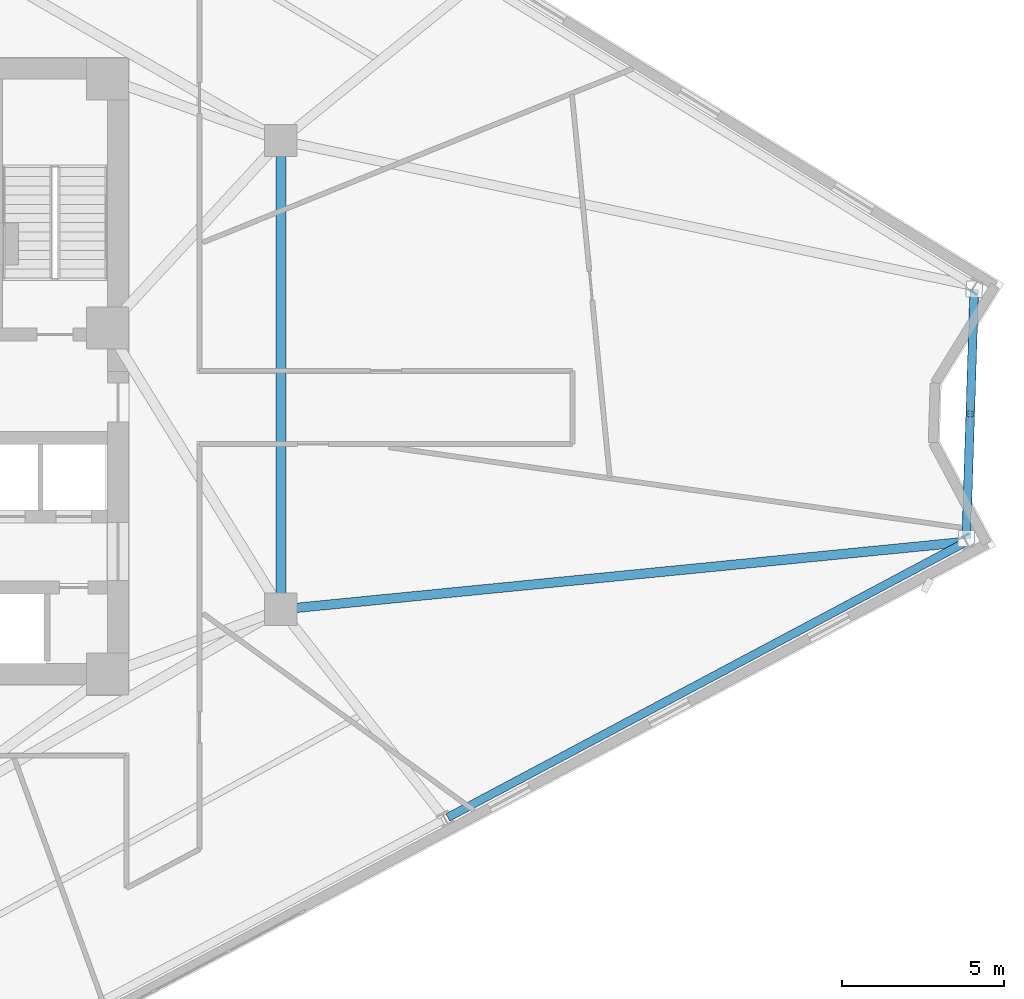
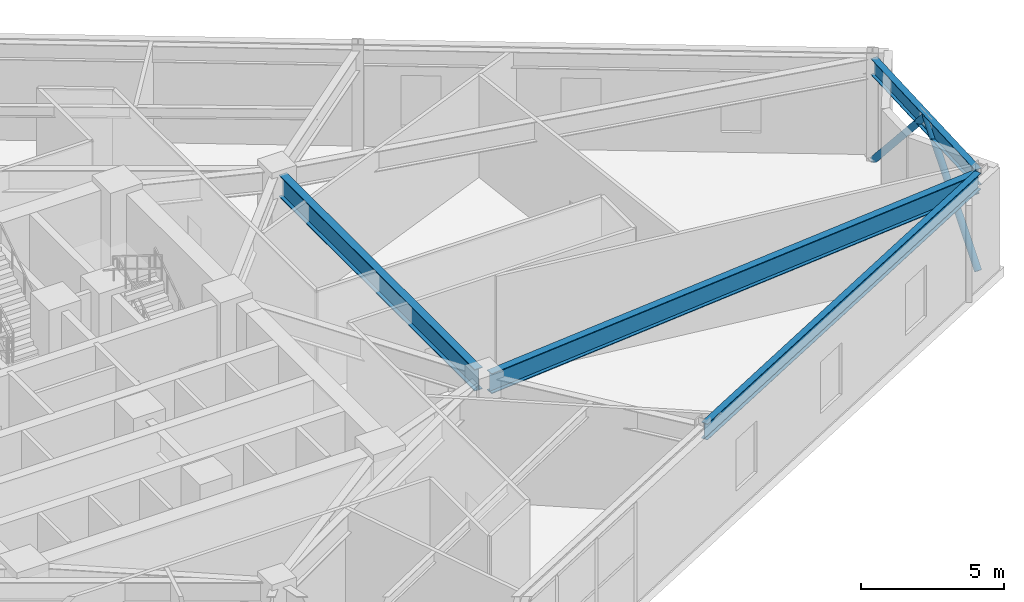
# One storey, part 7 of 22: 4 beams, 2 members.
"""IFC4 building model written with IfcOpenShell, lengths in metres."""

from ifc_helpers import new_model, si_unit, direction, frame, origin, origin_2d, place, context, subcontext, project, spatial, hollow_circle, i_section, extrude, material, material_profile, profile_set, type_object, element, save


model = new_model("IFC4")

# Units and contexts
model_context = context("Model", 3, precision=1e-05, world=origin(), true_north=direction((0.0, 1.0)))
body_context = subcontext(model_context, "Body", "Model", "MODEL_VIEW")
ifc_project = project(units=[si_unit("LENGTHUNIT", "METRE"), si_unit("AREAUNIT", "SQUARE_METRE"), si_unit("VOLUMEUNIT", "CUBIC_METRE"), si_unit("PLANEANGLEUNIT", "RADIAN"), si_unit("MASSUNIT", "GRAM", prefix="KILO")], contexts=[model_context])

# Site, building, storey
site_placement = place(None, origin())
site = spatial("IfcSite", under=ifc_project, at=site_placement, CompositionType="ELEMENT")
building_placement = place(site_placement, origin())
building = spatial("IfcBuilding", under=site, at=building_placement, Name="Apsidion Concourse Tower", CompositionType="ELEMENT")
storey_placement = place(building_placement, frame((0.0, 0.0, 160.89990234375)))
storey = spatial("IfcBuildingStorey", under=building, at=storey_placement, Name="L37", CompositionType="ELEMENT", Elevation=160.89990234375)

# Beams
ifc_material_1 = material(Name="Structural steel ASTM A992 Grade 50", Category="steel")
ifc_material_profile_1 = material_profile(ifc_material_1, i_section(OverallWidth=0.2919921875, OverallDepth=0.85888671875, WebThickness=0.01708984375, FlangeThickness=0.031005859375, at=origin_2d()), Name="W33X169")
ifc_profile_set_1 = profile_set([ifc_material_profile_1], Name="Structural steel ASTM A992 Grade 50")
beam_type_1 = type_object("IfcBeamType", Name="BM-G-W33", PredefinedType="USERDEFINED", material=ifc_profile_set_1)
beam_1_placement = place(storey_placement, frame((12.77880859375, -7.228515625, 3.920654296875), z_axis=(0.995176296258, 0.098102698054, 0.0), x_axis=(-0.098102698054, 0.995176296258, 0.0)))
element("IfcBeam", 1, at=beam_1_placement, inside=storey, type_object=beam_type_1, Name="L37 Radial Floor Girder RAD-08", ObjectType="GIRDER", PredefinedType="USERDEFINED", context=body_context, shape_type="SweptSolid", body=[
    extrude(i_section(OverallWidth=0.2919921875, OverallDepth=0.85888671875, WebThickness=0.01708984375, FlangeThickness=0.031005859375, at=origin_2d()), origin(), (0.0, 0.0, 1.0), 20.981689453125),
])
ifc_material_profile_2 = material_profile(ifc_material_1, i_section(OverallWidth=0.31005859375, OverallDepth=0.931884765625, WebThickness=0.02099609375, FlangeThickness=0.034423828125, at=origin_2d()), Name="W36X210")
ifc_profile_set_2 = profile_set([ifc_material_profile_2], Name="Structural steel ASTM A992 Grade 50")
beam_type_2 = type_object("IfcBeamType", Name="BM-G-W36", PredefinedType="USERDEFINED", material=ifc_profile_set_2)
beam_2_placement = place(storey_placement, frame((12.56005859375, 6.85009765625, 3.884033203125), z_axis=(0.0, -1.0, 0.0), x_axis=(1.0, 0.0, 0.0)))
element("IfcBeam", 2, at=beam_2_placement, inside=storey, type_object=beam_type_2, Name="L37 Core Coupling Girder IC3-IC2", ObjectType="GIRDER", PredefinedType="USERDEFINED", context=body_context, shape_type="SweptSolid", body=[
    extrude(i_section(OverallWidth=0.31005859375, OverallDepth=0.931884765625, WebThickness=0.02099609375, FlangeThickness=0.034423828125, at=origin_2d()), origin(), (0.0, 0.0, 1.0), 13.7001953125),
])
ifc_material_profile_3 = material_profile(ifc_material_1, i_section(OverallWidth=0.256103515625, OverallDepth=0.693115234375, WebThickness=0.014404296875, FlangeThickness=0.023681640625, at=origin_2d()), Name="W27X114")
ifc_profile_set_3 = profile_set([ifc_material_profile_3], Name="Structural steel ASTM A992 Grade 50")
beam_type_3 = type_object("IfcBeamType", Name="BM-SP-W27", PredefinedType="SPANDREL", material=ifc_profile_set_3)
beam_3_placement = place(storey_placement, frame((17.7275390625, -13.68408203125, 4.003662109375), z_axis=(0.882951456204, 0.469464296819, 0.0), x_axis=(-0.469464296819, 0.882951456204, 0.0)))
element("IfcBeam", 3, at=beam_3_placement, inside=storey, type_object=beam_type_3, Name="L37 Perimeter Spandrel Girder SP-07", PredefinedType="SPANDREL", context=body_context, shape_type="SweptSolid", body=[
    extrude(i_section(OverallWidth=0.256103515625, OverallDepth=0.693115234375, WebThickness=0.014404296875, FlangeThickness=0.023681640625, at=origin_2d()), origin(), (0.0, 0.0, 1.0), 18.056396484375),
])
beam_4_placement = place(storey_placement, frame((33.761962890625, -5.060302734375, 4.003662109375), z_axis=(0.031862000175, 0.999492277581, 0.0), x_axis=(-0.999492277581, 0.031862000175, 0.0)))
element("IfcBeam", 4, at=beam_4_placement, inside=storey, type_object=beam_type_3, Name="L37 Perimeter Spandrel Girder SP-08", PredefinedType="SPANDREL", context=body_context, shape_type="SweptSolid", body=[
    extrude(i_section(OverallWidth=0.256103515625, OverallDepth=0.693115234375, WebThickness=0.014404296875, FlangeThickness=0.023681640625, at=origin_2d()), origin(), (0.0, 0.0, 1.0), 7.716064453125),
])

# Members
ifc_material_2 = material(Name="Structural steel ASTM A500 Grade C", Category="steel")
ifc_material_profile_4 = material_profile(ifc_material_2, hollow_circle(Radius=0.136474609375, WallThickness=0.01611328125, at=origin_2d()), Name="CHS273X16")
ifc_profile_set_4 = profile_set([ifc_material_profile_4], Name="Structural steel ASTM A500 Grade C")
member_type = type_object("IfcMemberType", Name="MB-BR-CHS273", PredefinedType="BRACE", material=ifc_profile_set_4)
member_1_placement = place(storey_placement, frame((33.761962890625, -5.060302734375, 0.0), z_axis=(0.021394728912, 0.671785980973, 0.7404362642), x_axis=(-0.999493252642, 0.031831398384, 0.0)))
element("IfcMember", 5, at=member_1_placement, inside=storey, type_object=member_type, Name="L37 Corner Step-Transfer Chevron Brace KN-2-1", PredefinedType="BRACE", context=body_context, shape_type="SweptSolid", body=[
    extrude(hollow_circle(Radius=0.136474609375, WallThickness=0.01611328125, at=origin_2d()), origin(), (0.0, 0.0, 1.0), 5.73974609375),
])
member_2_placement = place(storey_placement, frame((34.0078125, 2.65185546875, 0.0), z_axis=(-0.021436631098, -0.671808706746, 0.74041443286), x_axis=(0.999491301648, -0.031892599939, 0.0)))
element("IfcMember", 6, at=member_2_placement, inside=storey, type_object=member_type, Name="L37 Corner Step-Transfer Chevron Brace KN-2-2", PredefinedType="BRACE", context=body_context, shape_type="SweptSolid", body=[
    extrude(hollow_circle(Radius=0.136474609375, WallThickness=0.01611328125, at=origin_2d()), origin(), (0.0, 0.0, 1.0), 5.739990234375),
])

save(model, "model.ifc")
